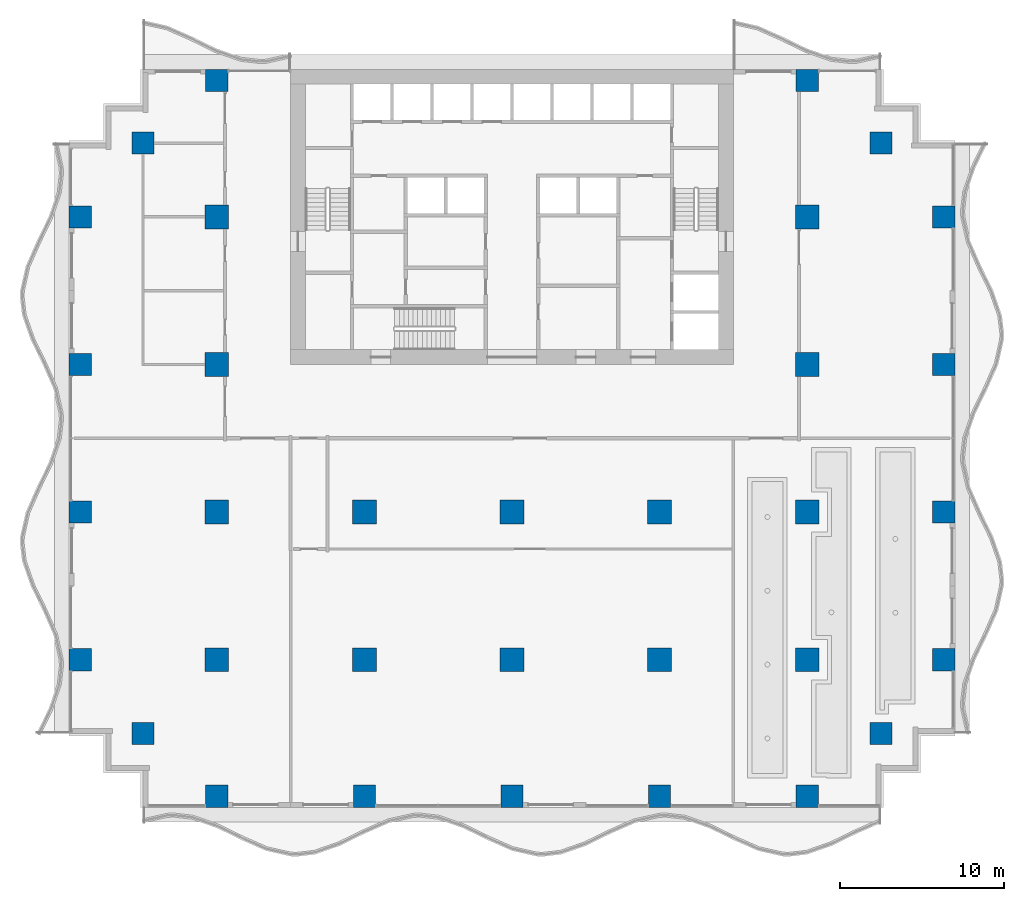
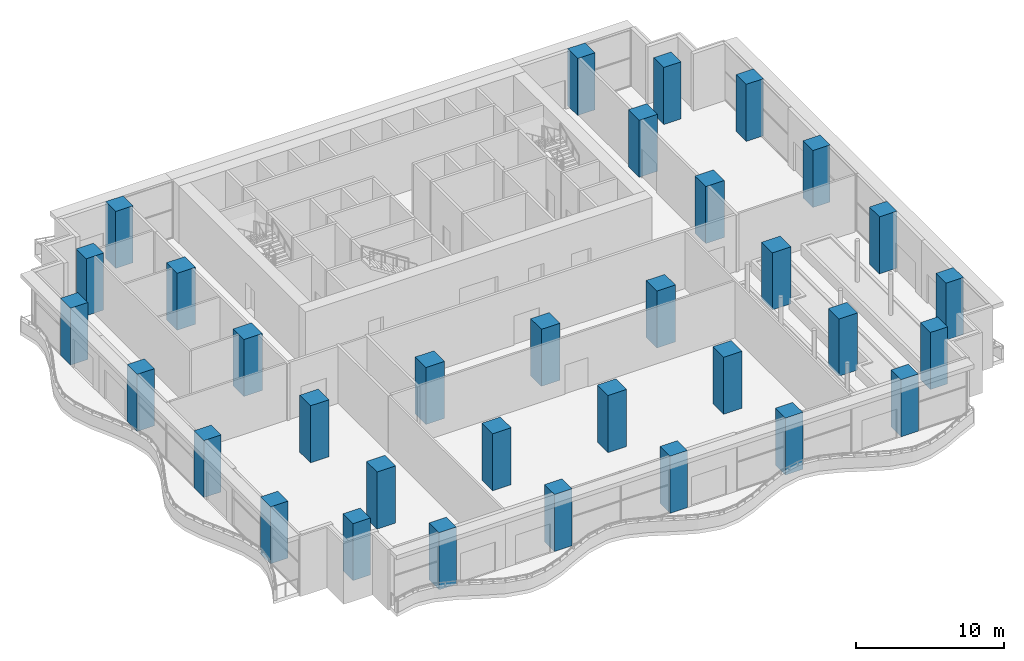
# One storey, part 1 of 18: 33 columns.
"""IFC4 building model written with IfcOpenShell, lengths in metres."""

import ifcopenshell
import ifcopenshell.guid

model = None  # the IFC model being written
_history = None  # IfcOwnerHistory: only IFC2X3 demands one
_inside = {}  # id of a spatial element -> (the spatial element, [elements in it])
_under = {}  # id of a project, library or spatial element -> (it, [spatial elements below it])
_declared = {}  # id of a project -> (the project, [libraries it declares])
_typed = {}  # id of a type object -> (the type object, [elements of that type])
_made_of = {}  # id of a material, layer set ... -> (it, [elements and type objects made of it])


def new_model(schema):
    """Start an empty IFC model of exactly this schema.

    Asked for "IFC4X3", IfcOpenShell would pick the latest addendum, in which some entities
    have other attributes; the version numbers below select the first issue.
    IFC2X3 requires an IfcOwnerHistory on every rooted entity: one is made here for all.
    """
    global model, _history
    if schema == "IFC4X3":
        model = ifcopenshell.file(schema_version=(4, 3, 0, 0))
    else:
        model = ifcopenshell.file(schema=schema)
    _inside.clear()
    _under.clear()
    _declared.clear()
    _typed.clear()
    _made_of.clear()
    _history = None
    if model.schema == "IFC2X3":
        org = make("IfcOrganization", Name="unknown")
        user = make(
            "IfcPersonAndOrganization",
            ThePerson=make("IfcPerson", FamilyName="unknown"),
            TheOrganization=org,
        )
        app = make(
            "IfcApplication",
            ApplicationDeveloper=org,
            Version="unknown",
            ApplicationFullName="unknown",
            ApplicationIdentifier="unknown",
        )
        _history = make(
            "IfcOwnerHistory",
            OwningUser=user,
            OwningApplication=app,
            ChangeAction="ADDED",
            CreationDate=0,
        )
    return model


def make(cls, **values):
    """One entity of the class cls with the attributes given. An attribute that is None is left unset."""
    return model.create_entity(
        cls, **{name: value for name, value in values.items() if value is not None}
    )


def rooted(cls, **values):
    """An entity with a GlobalId (a new one), such as an element, a storey or a relation."""
    return make(cls, GlobalId=ifcopenshell.guid.new(), OwnerHistory=_history, **values)


def si_unit(unit_type, name, prefix=None):
    """IfcSIUnit, for example si_unit("LENGTHUNIT", "METRE", prefix="MILLI")."""
    return make("IfcSIUnit", UnitType=unit_type, Prefix=prefix, Name=name)


def assignment(units):
    """IfcUnitAssignment: the units of a project."""
    return None if units is None else make("IfcUnitAssignment", Units=units)


def point(xyz):
    """IfcCartesianPoint."""
    return None if xyz is None else make("IfcCartesianPoint", Coordinates=xyz)


def direction(xyz):
    """IfcDirection."""
    return None if xyz is None else make("IfcDirection", DirectionRatios=xyz)


def frame(location, z_axis=None, x_axis=None):
    """IfcAxis2Placement3D, a coordinate frame: its origin and axes. An axis left out is left unset."""
    return make(
        "IfcAxis2Placement3D",
        Location=point(location),
        Axis=direction(z_axis),
        RefDirection=direction(x_axis),
    )


def frame_2d(location, x_axis=None):
    """IfcAxis2Placement2D, a coordinate frame in the plane: its origin and x axis."""
    return make(
        "IfcAxis2Placement2D", Location=point(location), RefDirection=direction(x_axis)
    )


def origin():
    """The frame at (0, 0, 0) with its axes left unset."""
    return frame((0.0, 0.0, 0.0))


def origin_2d():
    """The frame at (0, 0) in the plane with its x axis left unset."""
    return frame_2d((0.0, 0.0))


def place(relative_to, where):
    """IfcLocalPlacement: puts the frame where relative to a parent placement (None: the world)."""
    return make(
        "IfcLocalPlacement", PlacementRelTo=relative_to, RelativePlacement=where
    )


def context(
    kind, dimensions, precision=None, world=None, true_north=None, identifier=None
):
    """IfcGeometricRepresentationContext, for example the 3D "Model" context."""
    return make(
        "IfcGeometricRepresentationContext",
        ContextIdentifier=identifier,
        ContextType=kind,
        CoordinateSpaceDimension=dimensions,
        Precision=precision,
        WorldCoordinateSystem=world,
        TrueNorth=true_north,
    )


def subcontext(parent, identifier, kind, view, scale=None):
    """IfcGeometricRepresentationSubContext, for example "Body" below "Model"."""
    return make(
        "IfcGeometricRepresentationSubContext",
        ContextIdentifier=identifier,
        ContextType=kind,
        ParentContext=parent,
        TargetScale=scale,
        TargetView=view,
    )


def project(units=None, contexts=None):
    """IfcProject with its units and contexts."""
    return rooted(
        "IfcProject",
        Name="project",
        RepresentationContexts=contexts,
        UnitsInContext=assignment(units),
    )


def spatial(cls, under=None, at=None, **own):
    """A site, building, storey or space (cls), placed at a placement, below another one or the project."""
    s = rooted(cls, ObjectPlacement=at, **own)
    if under is not None:
        _under.setdefault(under.id(), (under, []))[1].append(s)
    return s


def profile(cls, at=None, kind="AREA", **sizes):
    """A parametric profile (cls). Its sizes go by their IFC names, for example OverallWidth=200.0."""
    return make(cls, ProfileType=kind, Position=at, **sizes)


def rectangle(**sizes):
    """IfcRectangleProfileDef."""
    return profile("IfcRectangleProfileDef", **sizes)


def extrude(swept, where, along, depth):
    """IfcExtrudedAreaSolid: the profile swept, set in the frame where, extruded along a direction by depth."""
    return make(
        "IfcExtrudedAreaSolid",
        SweptArea=swept,
        Position=where,
        ExtrudedDirection=direction(along),
        Depth=depth,
    )


def shape(context_of_items, identifier, shape_type, items):
    """IfcShapeRepresentation: the items that make up one representation, for example the "Body"."""
    return make(
        "IfcShapeRepresentation",
        ContextOfItems=context_of_items,
        RepresentationIdentifier=identifier,
        RepresentationType=shape_type,
        Items=items,
    )


def material(Name=None, Category=None):
    """IfcMaterial."""
    return make("IfcMaterial", Name=Name, Category=Category)


def material_profile(
    of_material, cross_section, Name=None, Category=None, Priority=None
):
    """IfcMaterialProfile: a cross section and its material."""
    return make(
        "IfcMaterialProfile",
        Name=Name,
        Material=of_material,
        Profile=cross_section,
        Priority=Priority,
        Category=Category,
    )


def profile_set(profiles, Name=None, composite=None):
    """IfcMaterialProfileSet."""
    return make(
        "IfcMaterialProfileSet",
        Name=Name,
        MaterialProfiles=profiles,
        CompositeProfile=composite,
    )


def made_of(thing, what):
    """Note that an element or type object is made of a material, layer set ...; save() writes the relation."""
    if what is not None:
        _made_of.setdefault(what.id(), (what, []))[1].append(thing)
    return thing


def type_object(cls, material=None, **own):
    """A type object (cls), such as IfcWallType, which elements share."""
    return made_of(rooted(cls, **own), material)


def element(
    cls,
    number,
    at=None,
    inside=None,
    cuts=None,
    type_object=None,
    material=None,
    context=None,
    identifier="Body",
    shape_type=None,
    held_by="IfcProductDefinitionShape",
    body=None,
    shapes=None,
    **own,
):
    """One element of the class cls, such as IfcWall. Its Tag is "e" and its number.

    at: its placement. inside: the storey or other place that contains it. cuts: it is an
    opening in that element (IfcRelVoidsElement). A single representation is given by context,
    identifier, shape_type and body (its items); several are given by shapes. held_by: the class
    of the entity that holds the representations. save() writes the other relations.
    """
    e = rooted(cls, Tag="e%d" % number, ObjectPlacement=at, **own)
    if body is not None:
        shapes = [shape(context, identifier, shape_type, body)]
    if shapes is not None:
        e.Representation = make(held_by, Representations=shapes)
    if inside is not None:
        _inside.setdefault(inside.id(), (inside, []))[1].append(e)
    if cuts is not None:
        rooted(
            "IfcRelVoidsElement", RelatingBuildingElement=cuts, RelatedOpeningElement=e
        )
    if type_object is not None:
        _typed.setdefault(type_object.id(), (type_object, []))[1].append(e)
    return made_of(e, material)


def aggregate(whole, parts):
    """IfcRelAggregates: a whole, such as a stair, and the parts it consists of."""
    return rooted("IfcRelAggregates", RelatingObject=whole, RelatedObjects=parts)


def save(model, path):
    """Write the relations noted so far, then the file.

    IfcRelAggregates (storeys below a building ...), IfcRelContainedInSpatialStructure (elements
    in a storey), IfcRelDefinesByType, IfcRelAssociatesMaterial and IfcRelDeclares: one each for
    every whole, place, type object, material and project.
    """
    for whole, parts in _under.values():
        aggregate(whole, parts)
    for where, things in _inside.values():
        rooted(
            "IfcRelContainedInSpatialStructure",
            RelatedElements=things,
            RelatingStructure=where,
        )
    for kind, things in _typed.values():
        rooted("IfcRelDefinesByType", RelatedObjects=things, RelatingType=kind)
    for what, things in _made_of.values():
        rooted("IfcRelAssociatesMaterial", RelatedObjects=things, RelatingMaterial=what)
    for by, libraries in _declared.values():
        rooted("IfcRelDeclares", RelatingContext=by, RelatedDefinitions=libraries)
    model.write(path)


model = new_model("IFC4")

# Units and contexts
model_context = context("Model", 3, precision=1e-05, world=origin(), true_north=direction((0.0, 1.0)))
body_context = subcontext(model_context, "Body", "Model", "MODEL_VIEW")
ifc_project = project(units=[si_unit("LENGTHUNIT", "METRE"), si_unit("AREAUNIT", "SQUARE_METRE"), si_unit("VOLUMEUNIT", "CUBIC_METRE"), si_unit("PLANEANGLEUNIT", "RADIAN"), si_unit("MASSUNIT", "GRAM", prefix="KILO")], contexts=[model_context])

# Site, building, storey
site_placement = place(None, origin())
site = spatial("IfcSite", under=ifc_project, at=site_placement, CompositionType="ELEMENT")
building_placement = place(site_placement, origin())
building = spatial("IfcBuilding", under=site, at=building_placement, Name="Orbiselva Terraces", CompositionType="ELEMENT")
storey_placement = place(building_placement, frame((0.0, 0.0, 64.4)))
storey = spatial("IfcBuildingStorey", under=building, at=storey_placement, Name="L16", CompositionType="ELEMENT", Elevation=64.4)

# Columns
ifc_material = material(Name="Concrete C70/85", Category="concrete")
ifc_material_profile_1 = material_profile(ifc_material, rectangle(XDim=1.45, YDim=1.45, at=origin_2d()), Name="RC 1450x1450")
ifc_profile_set_1 = profile_set([ifc_material_profile_1], Name="Concrete C70/85")
column_type_1 = type_object("IfcColumnType", Name="COLUMN RC 1450x1450", PredefinedType="COLUMN", material=ifc_profile_set_1)
for number, where, z_axis, x_axis, name in (
    (1, (-18.0, -13.5, 0.0), (0.0, 0.0, 1.0), (1.0, 0.0, 0.0), "Column L16-01"),
    (2, (-18.0, -4.5, 0.0), (0.0, 0.0, 1.0), (1.0, 0.0, 0.0), "Column L16-03"),
    (3, (-18.0, 13.5, 0.0), (0.0, 0.0, 1.0), (1.0, 0.0, 0.0), "Column L16-04"),
    (4, (-18.0, 4.5, 0.0), (0.0, 0.0, 1.0), (1.0, 0.0, 0.0), "Column L16-06"),
    (5, (-9.0, -13.5, 0.0), (0.0, 0.0, 1.0), (1.0, 0.0, 0.0), "Column L16-13"),
    (6, (-9.0, -4.5, 0.0), (0.0, 0.0, 1.0), (1.0, 0.0, 0.0), "Column L16-15"),
    (7, (0.0, -13.5, 0.0), (0.0, 0.0, 1.0), (1.0, 0.0, 0.0), "Column L16-16"),
    (8, (0.0, -4.5, 0.0), (0.0, 0.0, 1.0), (1.0, 0.0, 0.0), "Column L16-18"),
    (9, (18.0, -13.5, 0.0), (0.0, 0.0, 1.0), (1.0, 0.0, 0.0), "Column L16-19"),
    (10, (18.0, -4.5, 0.0), (0.0, 0.0, 1.0), (1.0, 0.0, 0.0), "Column L16-21"),
    (11, (18.0, 13.5, 0.0), (0.0, 0.0, 1.0), (1.0, 0.0, 0.0), "Column L16-22"),
    (12, (18.0, 4.5, 0.0), (0.0, 0.0, 1.0), (1.0, 0.0, 0.0), "Column L16-24"),
    (13, (9.0, -13.5, 0.0), (0.0, 0.0, 1.0), (1.0, 0.0, 0.0), "Column L16-31"),
    (14, (9.0, -4.5, 0.0), (0.0, 0.0, 1.0), (1.0, 0.0, 0.0), "Column L16-33"),
):
    element("IfcColumn", number, at=place(storey_placement, frame(where, z_axis=z_axis, x_axis=x_axis)), inside=storey, type_object=column_type_1, Name=name, PredefinedType="COLUMN", context=body_context, shape_type="SweptSolid", body=[
        extrude(rectangle(XDim=1.45, YDim=1.45, at=origin_2d()), origin(), (0.0, 0.0, 1.0), 4.7),
    ])
ifc_material_profile_2 = material_profile(ifc_material, rectangle(XDim=1.35, YDim=1.35, at=origin_2d()), Name="RC 1350x1350")
ifc_profile_set_2 = profile_set([ifc_material_profile_2], Name="Concrete C70/85")
column_type_2 = type_object("IfcColumnType", Name="PERIMETER COLUMN RC 1350x1350", PredefinedType="COLUMN", material=ifc_profile_set_2)
for number, where, z_axis, x_axis, name in (
    (15, (-18.0, -21.825, 0.0), (0.0, 0.0, 1.0), (1.0, 0.0, 0.0), "Column L16-02"),
    (16, (-18.0, 21.825, 0.0), (0.0, 0.0, 1.0), (1.0, 0.0, 0.0), "Column L16-05"),
    (17, (-26.325, -13.5, 0.0), (0.0, 0.0, 1.0), (1.0, 0.0, 0.0), "Column L16-07"),
    (18, (-22.5, -18.0, 0.0), (0.0, 0.0, 1.0), (1.0, 0.0, 0.0), "Column L16-08"),
    (19, (-26.325, -4.5, 0.0), (0.0, 0.0, 1.0), (1.0, 0.0, 0.0), "Column L16-09"),
    (20, (-26.325, 13.5, 0.0), (0.0, 0.0, 1.0), (1.0, 0.0, 0.0), "Column L16-10"),
    (21, (-22.5, 18.0, 0.0), (0.0, 0.0, 1.0), (1.0, 0.0, 0.0), "Column L16-11"),
    (22, (-26.325, 4.5, 0.0), (0.0, 0.0, 1.0), (1.0, 0.0, 0.0), "Column L16-12"),
    (23, (-9.0, -21.825, 0.0), (0.0, 0.0, 1.0), (1.0, 0.0, 0.0), "Column L16-14"),
    (24, (0.0, -21.825, 0.0), (0.0, 0.0, 1.0), (1.0, 0.0, 0.0), "Column L16-17"),
    (25, (18.0, -21.825, 0.0), (0.0, 0.0, 1.0), (1.0, 0.0, 0.0), "Column L16-20"),
    (26, (18.0, 21.825, 0.0), (0.0, 0.0, 1.0), (1.0, 0.0, 0.0), "Column L16-23"),
    (27, (26.325, -13.5, 0.0), (0.0, 0.0, 1.0), (1.0, 0.0, 0.0), "Column L16-25"),
    (28, (22.5, -18.0, 0.0), (0.0, 0.0, 1.0), (1.0, 0.0, 0.0), "Column L16-26"),
    (29, (26.325, -4.5, 0.0), (0.0, 0.0, 1.0), (1.0, 0.0, 0.0), "Column L16-27"),
    (30, (26.325, 13.5, 0.0), (0.0, 0.0, 1.0), (1.0, 0.0, 0.0), "Column L16-28"),
    (31, (22.5, 18.0, 0.0), (0.0, 0.0, 1.0), (1.0, 0.0, 0.0), "Column L16-29"),
    (32, (26.325, 4.5, 0.0), (0.0, 0.0, 1.0), (1.0, 0.0, 0.0), "Column L16-30"),
    (33, (9.0, -21.825, 0.0), (0.0, 0.0, 1.0), (1.0, 0.0, 0.0), "Column L16-32"),
):
    element("IfcColumn", number, at=place(storey_placement, frame(where, z_axis=z_axis, x_axis=x_axis)), inside=storey, type_object=column_type_2, Name=name, PredefinedType="COLUMN", context=body_context, shape_type="SweptSolid", body=[
        extrude(rectangle(XDim=1.35, YDim=1.35, at=origin_2d()), origin(), (0.0, 0.0, 1.0), 4.7),
    ])

save(model, "model.ifc")
